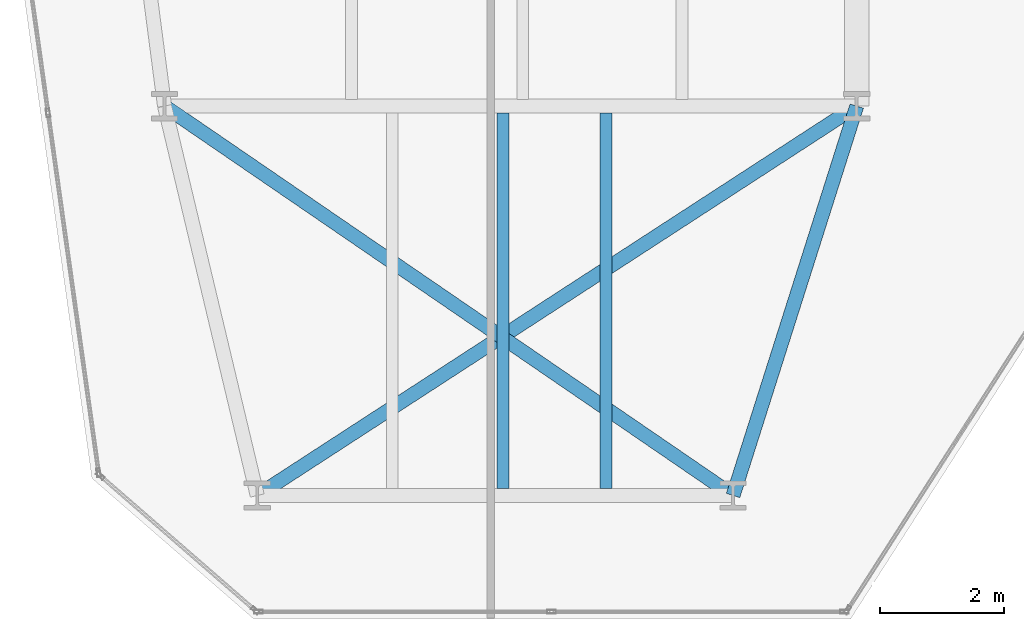
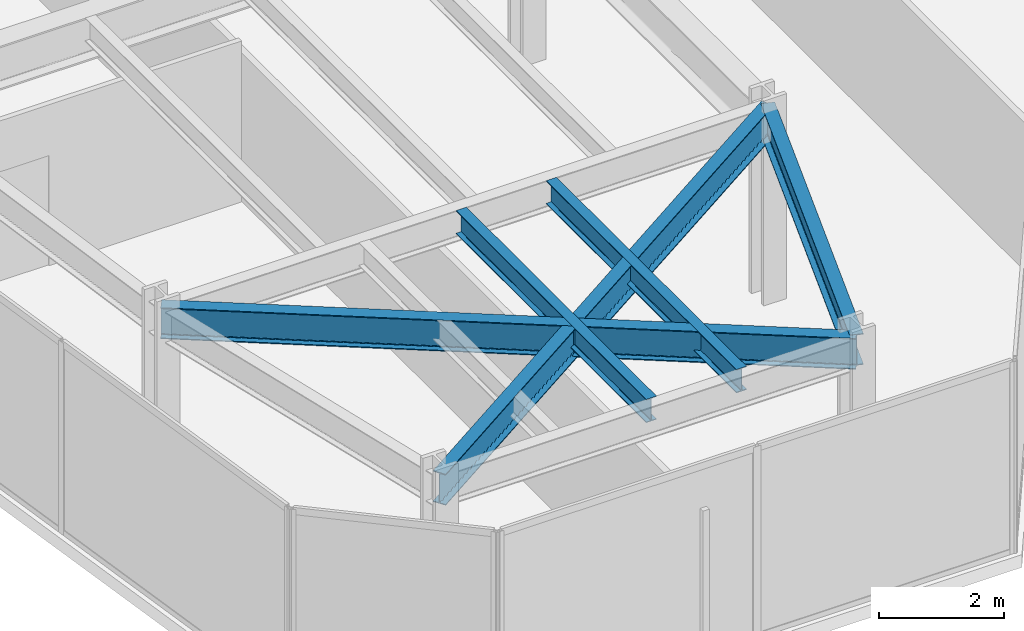
# One storey, part 4 of 26: 5 beams.
"""IFC4 building model written with IfcOpenShell, lengths in metres."""

from ifc_helpers import new_model, si_unit, direction, frame, origin, origin_2d, place, context, subcontext, project, spatial, i_section, extrude, material, material_profile, profile_set, type_object, element, save


model = new_model("IFC4")

# Units and contexts
model_context = context("Model", 3, precision=1e-05, world=origin(), true_north=direction((0.0, 1.0)))
body_context = subcontext(model_context, "Body", "Model", "MODEL_VIEW")
ifc_project = project(units=[si_unit("LENGTHUNIT", "METRE"), si_unit("AREAUNIT", "SQUARE_METRE"), si_unit("VOLUMEUNIT", "CUBIC_METRE"), si_unit("PLANEANGLEUNIT", "RADIAN"), si_unit("MASSUNIT", "GRAM", prefix="KILO")], contexts=[model_context])

# Site, building, storey
site_placement = place(None, origin())
site = spatial("IfcSite", under=ifc_project, at=site_placement, CompositionType="ELEMENT")
building_placement = place(site_placement, origin())
building = spatial("IfcBuilding", under=site, at=building_placement, Name="Kravanh Interchange Tower", CompositionType="ELEMENT")
storey_placement = place(building_placement, frame((0.0, 0.0, 100.0)))
storey = spatial("IfcBuildingStorey", under=building, at=storey_placement, Name="L23", CompositionType="ELEMENT", Elevation=100.0)

# Beams
ifc_material_1 = material(Name="Structural Steel S355", Category="steel")
ifc_material_profile_1 = material_profile(ifc_material_1, i_section(OverallWidth=0.18994140625, OverallDepth=0.45703125, WebThickness=0.009033203125, FlangeThickness=0.014404296875, FilletRadius=0.01806640625, at=origin_2d()), Name="W18X50")
ifc_profile_set_1 = profile_set([ifc_material_profile_1], Name="Structural Steel S355")
beam_type_1 = type_object("IfcBeamType", Name="Floor Joist W18X50 Structural Steel S355", PredefinedType="JOIST", material=ifc_profile_set_1)
for number, where, z_axis, x_axis, name in (
    (1, (21.47802734375, 8.30908203125, 3.521484375), (0.0, 1.0, 0.0), (-1.0, 0.0, 0.0), "L23 Secondary Floor Joist 2"),
    (2, (23.14208984375, 8.30908203125, 3.521484375), (0.0, 1.0, 0.0), (-1.0, 0.0, 0.0), "L23 Secondary Floor Joist 3"),
):
    element("IfcBeam", number, at=place(storey_placement, frame(where, z_axis=z_axis, x_axis=x_axis)), inside=storey, type_object=beam_type_1, Name=name, PredefinedType="JOIST", context=body_context, shape_type="SweptSolid", body=[
        extrude(i_section(OverallWidth=0.18994140625, OverallDepth=0.45703125, WebThickness=0.009033203125, FlangeThickness=0.014404296875, FilletRadius=0.01806640625, at=origin_2d()), origin(), (0.0, 0.0, 1.0), 6.08203125),
    ])
ifc_material_2 = material(Name="Structural Steel S355", Category="steel")
ifc_material_profile_2 = material_profile(ifc_material_2, i_section(OverallWidth=0.22802734375, OverallDepth=0.60791015625, WebThickness=0.01123046875, FlangeThickness=0.017333984375, FilletRadius=0.02197265625, at=origin_2d()), Name="W24X76")
ifc_profile_set_2 = profile_set([ifc_material_profile_2], Name="Structural Steel S355")
beam_type_2 = type_object("IfcBeamType", Name="Floor Spandrel W24X76 Structural Steel S355", PredefinedType="SPANDREL", material=ifc_profile_set_2)
beam_1_placement = place(storey_placement, frame((17.5, 8.199951171875, 3.446044921875), z_axis=(0.838637911458, 0.544689318295, 0.0), x_axis=(-0.544689318295, 0.838637911458, 0.0)))
element("IfcBeam", 3, at=beam_1_placement, inside=storey, type_object=beam_type_2, Name="L23 Perimeter Spandrel 36", PredefinedType="SPANDREL", context=body_context, shape_type="SweptSolid", body=[
    extrude(i_section(OverallWidth=0.22802734375, OverallDepth=0.60791015625, WebThickness=0.01123046875, FlangeThickness=0.017333984375, FilletRadius=0.02197265625, at=origin_2d()), origin(), (0.0, 0.0, 1.0), 11.56640625),
])
beam_2_placement = place(storey_placement, frame((25.199951171875, 8.199951171875, 3.446044921875), z_axis=(0.30257700201, 0.953124943465, 0.0), x_axis=(-0.953124943465, 0.30257700201, 0.0)))
element("IfcBeam", 4, at=beam_2_placement, inside=storey, type_object=beam_type_2, Name="L23 Perimeter Spandrel 76", PredefinedType="SPANDREL", context=body_context, shape_type="SweptSolid", body=[
    extrude(i_section(OverallWidth=0.22802734375, OverallDepth=0.60791015625, WebThickness=0.01123046875, FlangeThickness=0.017333984375, FilletRadius=0.02197265625, at=origin_2d()), origin(), (0.0, 0.0, 1.0), 6.60986328125),
])
beam_3_placement = place(storey_placement, frame((25.199951171875, 8.199951171875, 3.446044921875), z_axis=(-0.825083781107, 0.565010401811, 0.0), x_axis=(-0.565010401811, -0.825083781107, 0.0)))
element("IfcBeam", 5, at=beam_3_placement, inside=storey, type_object=beam_type_2, Name="L23 Perimeter Spandrel 77", PredefinedType="SPANDREL", context=body_context, shape_type="SweptSolid", body=[
    extrude(i_section(OverallWidth=0.22802734375, OverallDepth=0.60791015625, WebThickness=0.01123046875, FlangeThickness=0.017333984375, FilletRadius=0.02197265625, at=origin_2d()), origin(), (0.0, 0.0, 1.0), 11.150390625),
])

save(model, "model.ifc")
